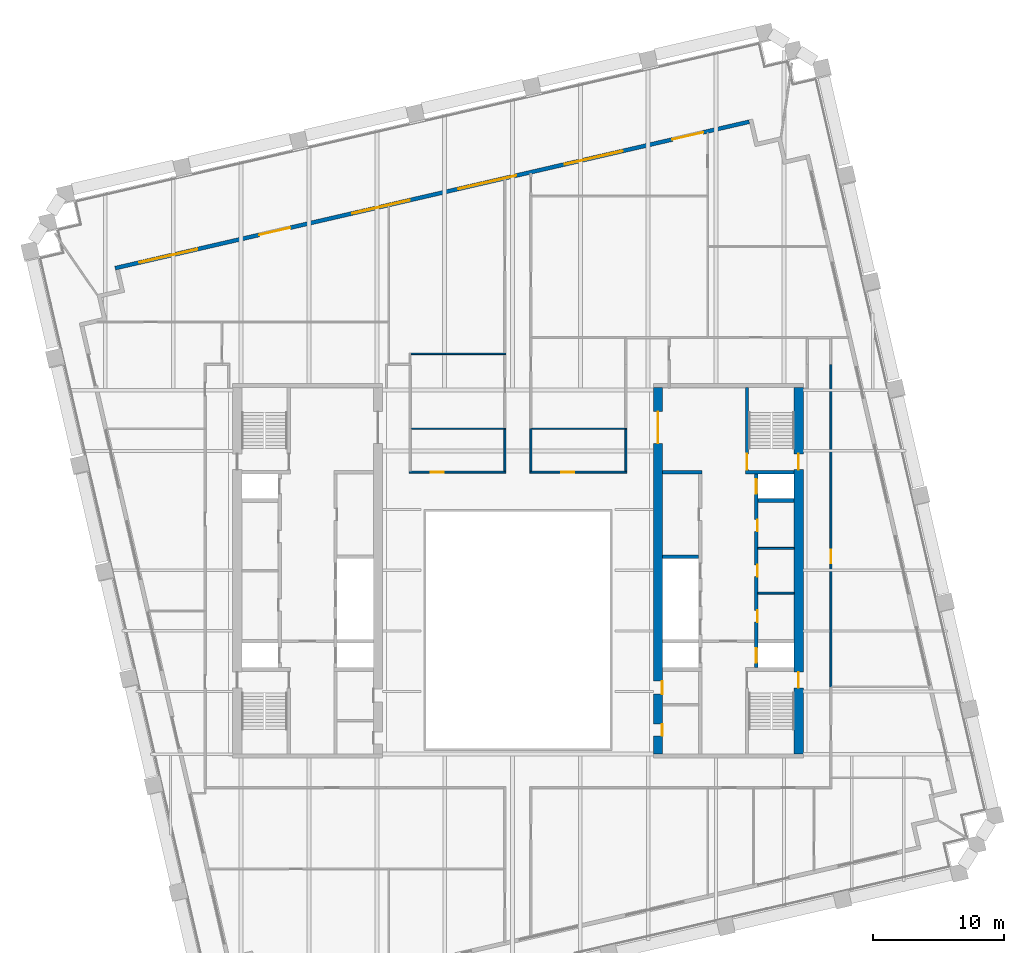
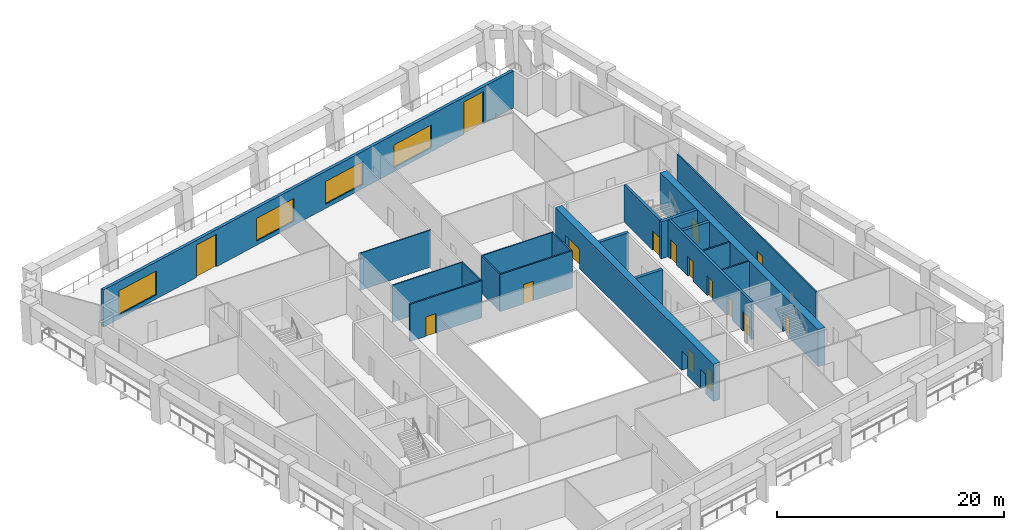
# One storey, part 7 of 11: 20 walls, 16 doors, 4 windows, 20 openings.
"""IFC4 building model written with IfcOpenShell, lengths in metres."""

import ifcopenshell
import ifcopenshell.guid

model = None  # the IFC model being written
_history = None  # IfcOwnerHistory: only IFC2X3 demands one
_inside = {}  # id of a spatial element -> (the spatial element, [elements in it])
_under = {}  # id of a project, library or spatial element -> (it, [spatial elements below it])
_declared = {}  # id of a project -> (the project, [libraries it declares])
_typed = {}  # id of a type object -> (the type object, [elements of that type])
_made_of = {}  # id of a material, layer set ... -> (it, [elements and type objects made of it])


def new_model(schema):
    """Start an empty IFC model of exactly this schema.

    Asked for "IFC4X3", IfcOpenShell would pick the latest addendum, in which some entities
    have other attributes; the version numbers below select the first issue.
    IFC2X3 requires an IfcOwnerHistory on every rooted entity: one is made here for all.
    """
    global model, _history
    if schema == "IFC4X3":
        model = ifcopenshell.file(schema_version=(4, 3, 0, 0))
    else:
        model = ifcopenshell.file(schema=schema)
    _inside.clear()
    _under.clear()
    _declared.clear()
    _typed.clear()
    _made_of.clear()
    _history = None
    if model.schema == "IFC2X3":
        org = make("IfcOrganization", Name="unknown")
        user = make(
            "IfcPersonAndOrganization",
            ThePerson=make("IfcPerson", FamilyName="unknown"),
            TheOrganization=org,
        )
        app = make(
            "IfcApplication",
            ApplicationDeveloper=org,
            Version="unknown",
            ApplicationFullName="unknown",
            ApplicationIdentifier="unknown",
        )
        _history = make(
            "IfcOwnerHistory",
            OwningUser=user,
            OwningApplication=app,
            ChangeAction="ADDED",
            CreationDate=0,
        )
    return model


def make(cls, **values):
    """One entity of the class cls with the attributes given. An attribute that is None is left unset."""
    return model.create_entity(
        cls, **{name: value for name, value in values.items() if value is not None}
    )


def rooted(cls, **values):
    """An entity with a GlobalId (a new one), such as an element, a storey or a relation."""
    return make(cls, GlobalId=ifcopenshell.guid.new(), OwnerHistory=_history, **values)


def si_unit(unit_type, name, prefix=None):
    """IfcSIUnit, for example si_unit("LENGTHUNIT", "METRE", prefix="MILLI")."""
    return make("IfcSIUnit", UnitType=unit_type, Prefix=prefix, Name=name)


def assignment(units):
    """IfcUnitAssignment: the units of a project."""
    return None if units is None else make("IfcUnitAssignment", Units=units)


def point(xyz):
    """IfcCartesianPoint."""
    return None if xyz is None else make("IfcCartesianPoint", Coordinates=xyz)


def direction(xyz):
    """IfcDirection."""
    return None if xyz is None else make("IfcDirection", DirectionRatios=xyz)


def frame(location, z_axis=None, x_axis=None):
    """IfcAxis2Placement3D, a coordinate frame: its origin and axes. An axis left out is left unset."""
    return make(
        "IfcAxis2Placement3D",
        Location=point(location),
        Axis=direction(z_axis),
        RefDirection=direction(x_axis),
    )


def frame_2d(location, x_axis=None):
    """IfcAxis2Placement2D, a coordinate frame in the plane: its origin and x axis."""
    return make(
        "IfcAxis2Placement2D", Location=point(location), RefDirection=direction(x_axis)
    )


def origin():
    """The frame at (0, 0, 0) with its axes left unset."""
    return frame((0.0, 0.0, 0.0))


def place(relative_to, where):
    """IfcLocalPlacement: puts the frame where relative to a parent placement (None: the world)."""
    return make(
        "IfcLocalPlacement", PlacementRelTo=relative_to, RelativePlacement=where
    )


def context(
    kind, dimensions, precision=None, world=None, true_north=None, identifier=None
):
    """IfcGeometricRepresentationContext, for example the 3D "Model" context."""
    return make(
        "IfcGeometricRepresentationContext",
        ContextIdentifier=identifier,
        ContextType=kind,
        CoordinateSpaceDimension=dimensions,
        Precision=precision,
        WorldCoordinateSystem=world,
        TrueNorth=true_north,
    )


def subcontext(parent, identifier, kind, view, scale=None):
    """IfcGeometricRepresentationSubContext, for example "Body" below "Model"."""
    return make(
        "IfcGeometricRepresentationSubContext",
        ContextIdentifier=identifier,
        ContextType=kind,
        ParentContext=parent,
        TargetScale=scale,
        TargetView=view,
    )


def project(units=None, contexts=None):
    """IfcProject with its units and contexts."""
    return rooted(
        "IfcProject",
        Name="project",
        RepresentationContexts=contexts,
        UnitsInContext=assignment(units),
    )


def spatial(cls, under=None, at=None, **own):
    """A site, building, storey or space (cls), placed at a placement, below another one or the project."""
    s = rooted(cls, ObjectPlacement=at, **own)
    if under is not None:
        _under.setdefault(under.id(), (under, []))[1].append(s)
    return s


def profile(cls, at=None, kind="AREA", **sizes):
    """A parametric profile (cls). Its sizes go by their IFC names, for example OverallWidth=200.0."""
    return make(cls, ProfileType=kind, Position=at, **sizes)


def rectangle(**sizes):
    """IfcRectangleProfileDef."""
    return profile("IfcRectangleProfileDef", **sizes)


def extrude(swept, where, along, depth):
    """IfcExtrudedAreaSolid: the profile swept, set in the frame where, extruded along a direction by depth."""
    return make(
        "IfcExtrudedAreaSolid",
        SweptArea=swept,
        Position=where,
        ExtrudedDirection=direction(along),
        Depth=depth,
    )


def shape(context_of_items, identifier, shape_type, items):
    """IfcShapeRepresentation: the items that make up one representation, for example the "Body"."""
    return make(
        "IfcShapeRepresentation",
        ContextOfItems=context_of_items,
        RepresentationIdentifier=identifier,
        RepresentationType=shape_type,
        Items=items,
    )


def material(Name=None, Category=None):
    """IfcMaterial."""
    return make("IfcMaterial", Name=Name, Category=Category)


def layer(
    of_material, thickness, ventilated=None, Name=None, Category=None, Priority=None
):
    """IfcMaterialLayer: one layer of a wall or slab, of a material (None: an air gap)."""
    return make(
        "IfcMaterialLayer",
        Material=of_material,
        LayerThickness=thickness,
        IsVentilated=ventilated,
        Name=Name,
        Category=Category,
        Priority=Priority,
    )


def layer_set(layers, Name=None):
    """IfcMaterialLayerSet."""
    return make("IfcMaterialLayerSet", MaterialLayers=layers, LayerSetName=Name)


def made_of(thing, what):
    """Note that an element or type object is made of a material, layer set ...; save() writes the relation."""
    if what is not None:
        _made_of.setdefault(what.id(), (what, []))[1].append(thing)
    return thing


def type_object(cls, material=None, **own):
    """A type object (cls), such as IfcWallType, which elements share."""
    return made_of(rooted(cls, **own), material)


def element(
    cls,
    number,
    at=None,
    inside=None,
    cuts=None,
    type_object=None,
    material=None,
    context=None,
    identifier="Body",
    shape_type=None,
    held_by="IfcProductDefinitionShape",
    body=None,
    shapes=None,
    **own,
):
    """One element of the class cls, such as IfcWall. Its Tag is "e" and its number.

    at: its placement. inside: the storey or other place that contains it. cuts: it is an
    opening in that element (IfcRelVoidsElement). A single representation is given by context,
    identifier, shape_type and body (its items); several are given by shapes. held_by: the class
    of the entity that holds the representations. save() writes the other relations.
    """
    e = rooted(cls, Tag="e%d" % number, ObjectPlacement=at, **own)
    if body is not None:
        shapes = [shape(context, identifier, shape_type, body)]
    if shapes is not None:
        e.Representation = make(held_by, Representations=shapes)
    if inside is not None:
        _inside.setdefault(inside.id(), (inside, []))[1].append(e)
    if cuts is not None:
        rooted(
            "IfcRelVoidsElement", RelatingBuildingElement=cuts, RelatedOpeningElement=e
        )
    if type_object is not None:
        _typed.setdefault(type_object.id(), (type_object, []))[1].append(e)
    return made_of(e, material)


def fill(opening, filler):
    """IfcRelFillsElement: the door or window that sits in an opening."""
    return rooted(
        "IfcRelFillsElement",
        RelatingOpeningElement=opening,
        RelatedBuildingElement=filler,
    )


def aggregate(whole, parts):
    """IfcRelAggregates: a whole, such as a stair, and the parts it consists of."""
    return rooted("IfcRelAggregates", RelatingObject=whole, RelatedObjects=parts)


def save(model, path):
    """Write the relations noted so far, then the file.

    IfcRelAggregates (storeys below a building ...), IfcRelContainedInSpatialStructure (elements
    in a storey), IfcRelDefinesByType, IfcRelAssociatesMaterial and IfcRelDeclares: one each for
    every whole, place, type object, material and project.
    """
    for whole, parts in _under.values():
        aggregate(whole, parts)
    for where, things in _inside.values():
        rooted(
            "IfcRelContainedInSpatialStructure",
            RelatedElements=things,
            RelatingStructure=where,
        )
    for kind, things in _typed.values():
        rooted("IfcRelDefinesByType", RelatedObjects=things, RelatingType=kind)
    for what, things in _made_of.values():
        rooted("IfcRelAssociatesMaterial", RelatedObjects=things, RelatingMaterial=what)
    for by, libraries in _declared.values():
        rooted("IfcRelDeclares", RelatingContext=by, RelatedDefinitions=libraries)
    model.write(path)


model = new_model("IFC4")

# Units and contexts
model_context = context("Model", 3, precision=1e-05, world=origin(), true_north=direction((0.0, 1.0)))
body_context = subcontext(model_context, "Body", "Model", "MODEL_VIEW")
ifc_project = project(units=[si_unit("LENGTHUNIT", "METRE"), si_unit("AREAUNIT", "SQUARE_METRE"), si_unit("VOLUMEUNIT", "CUBIC_METRE"), si_unit("PLANEANGLEUNIT", "RADIAN"), si_unit("MASSUNIT", "GRAM", prefix="KILO")], contexts=[model_context])

# Site, building, storey
site_placement = place(None, origin())
site = spatial("IfcSite", under=ifc_project, at=site_placement, CompositionType="ELEMENT")
building_placement = place(site_placement, origin())
building = spatial("IfcBuilding", under=site, at=building_placement, Name="Ogive Exchange Tower", CompositionType="ELEMENT")
storey_placement = place(building_placement, frame((0.0, 0.0, 209.39990234375)))
storey = spatial("IfcBuildingStorey", under=building, at=storey_placement, Name="L46", CompositionType="ELEMENT", Elevation=209.39990234375)

# Walls
ifc_material_1 = material(Name="Gypsum board partition")
ifc_layer_1 = layer(ifc_material_1, 0.14990234375)
ifc_layer_set_1 = layer_set([ifc_layer_1], Name="Core room partition 150 gypsum")
wall_type_1 = type_object("IfcWallType", Name="Core room partition 150 gypsum", PredefinedType="PARTITIONING", material=ifc_layer_set_1)
for number, where, z_axis, x_axis, name in (
    (1, (18.25, 9.800048828125, 0.0), (0.0, 0.0, 1.0), (1.0, 0.0, 0.0), "E row A bay partition 1-1"),
    (2, (18.25, 13.199951171875, 0.0), (0.0, 0.0, 1.0), (1.0, 0.0, 0.0), "E row A bay partition 1-2"),
):
    element("IfcWall", number, at=place(storey_placement, frame(where, z_axis=z_axis, x_axis=x_axis)), inside=storey, type_object=wall_type_1, Name=name, PredefinedType="PARTITIONING", context=body_context, shape_type="SweptSolid", body=[
        extrude(rectangle(XDim=2.75, YDim=0.14990234375, at=frame_2d((1.375, 0.0))), origin(), (0.0, 0.0, 1.0), 4.0),
    ])
ifc_layer_2 = layer(ifc_material_1, 0.300048828125)
ifc_layer_set_2 = layer_set([ifc_layer_2], Name="Core room partition 300 gypsum")
wall_type_2 = type_object("IfcWallType", Name="Core room partition 300 gypsum", PredefinedType="PARTITIONING", material=ifc_layer_set_2)
wall_1_placement = place(storey_placement, frame((11.0, 19.0, 0.0), z_axis=(0.0, 0.0, 1.0), x_axis=(1.0, 0.0, 0.0)))
element("IfcWall", 3, at=wall_1_placement, inside=storey, type_object=wall_type_2, Name="E row B room end wall 7", PredefinedType="PARTITIONING", context=body_context, shape_type="SweptSolid", body=[
    extrude(rectangle(XDim=3.0, YDim=0.300048828125, at=frame_2d((1.5, 0.0))), origin(), (0.0, 0.0, 1.0), 4.0),
])

# Wall, opening, door
ifc_material_2 = material(Name="Fire partition EI 60 150")
ifc_layer_3 = layer(ifc_material_2, 0.14990234375)
ifc_layer_set_3 = layer_set([ifc_layer_3], Name="Fire partition EI 60 150")
wall_type_3 = type_object("IfcWallType", Name="Fire partition EI 60 150", PredefinedType="PARTITIONING", material=ifc_layer_set_3)
wall_2_placement = place(storey_placement, frame((-8.27490234375, 19.0, 0.0), z_axis=(0.0, 0.0, 1.0), x_axis=(1.0, 0.0, 0.0)))
wall_2 = element("IfcWall", 4, at=wall_2_placement, inside=storey, type_object=wall_type_3, Name="L46-PWL-023", PredefinedType="PARTITIONING", context=body_context, shape_type="SweptSolid", body=[
    extrude(rectangle(XDim=7.35986328125, YDim=0.14990234375, at=frame_2d((3.679931640625, 0.0))), origin(), (0.0, 0.0, 1.0), 4.0),
])
opening_1_placement = place(wall_2_placement, frame((1.635009765625, 0.0, 0.0)))
opening_1 = element("IfcOpeningElement", 5, at=opening_1_placement, cuts=wall_2, Name="Opening L46-I02", PredefinedType="OPENING", context=body_context, shape_type="SweptSolid", body=[
    extrude(rectangle(XDim=1.0, YDim=2.10009765625, at=frame_2d((0.5, 1.050048828125))), frame((0.0, 0.0849609375, 0.0), z_axis=(0.0, -1.0, 0.0), x_axis=(1.0, 0.0, 0.0)), (0.0, 0.0, 1.0), 0.169921875),
])
ifc_material_3 = material(Name="Fire door FD 30S 1000 x 2100")
door_type_1 = type_object("IfcDoorType", Name="Fire door FD 30S 1000 x 2100", OperationType="NOTDEFINED", PredefinedType="DOOR", material=ifc_material_3)
door_1_placement = place(opening_1_placement, origin())
door_1 = element("IfcDoor", 6, at=door_1_placement, inside=storey, type_object=door_type_1, Name="L46-IDR-002", ObjectType="DT3", OperationType="SINGLE_SWING_RIGHT", OverallHeight=2.10009765625, OverallWidth=1.0, PredefinedType="DOOR", context=body_context, shape_type="SweptSolid", body=[
    extrude(rectangle(XDim=1.0, YDim=2.10009765625, at=frame_2d((0.5, 1.050048828125))), frame((0.0, 0.02490234375, 0.0), z_axis=(0.0, -1.0, 0.0), x_axis=(1.0, 0.0, 0.0)), (0.0, 0.0, 1.0), 0.050048828125),
])
fill(opening_1, door_1)

# Wall
wall_3_placement = place(storey_placement, frame((-0.989990234375, 19.074951171875, 0.0), z_axis=(0.0, 0.0, 1.0), x_axis=(0.0, 1.0, 0.0)))
element("IfcWall", 7, at=wall_3_placement, inside=storey, type_object=wall_type_3, Name="L46-PWL-031", PredefinedType="PARTITIONING", context=body_context, shape_type="SweptSolid", body=[
    extrude(rectangle(XDim=3.18505859375, YDim=0.14990234375, at=frame_2d((1.592529296875, 0.0))), origin(), (0.0, 0.0, 1.0), 4.0),
])

# Wall, opening, door
wall_4_placement = place(storey_placement, frame((0.9150390625, 19.0, 0.0), z_axis=(0.0, 0.0, 1.0), x_axis=(1.0, 0.0, 0.0)))
wall_4 = element("IfcWall", 8, at=wall_4_placement, inside=storey, type_object=wall_type_3, Name="L46-PWL-035", PredefinedType="PARTITIONING", context=body_context, shape_type="SweptSolid", body=[
    extrude(rectangle(XDim=7.35986328125, YDim=0.14990234375, at=frame_2d((3.679931640625, 0.0))), origin(), (0.0, 0.0, 1.0), 4.0),
])
opening_2_placement = place(wall_4_placement, frame((2.385009765625, 0.0, 0.0)))
opening_2 = element("IfcOpeningElement", 9, at=opening_2_placement, cuts=wall_4, Name="Opening L46-I12", PredefinedType="OPENING", context=body_context, shape_type="SweptSolid", body=[
    extrude(rectangle(XDim=1.0, YDim=2.10009765625, at=frame_2d((0.5, 1.050048828125))), frame((0.0, 0.0849609375, 0.0), z_axis=(0.0, -1.0, 0.0), x_axis=(1.0, 0.0, 0.0)), (0.0, 0.0, 1.0), 0.169921875),
])
door_2_placement = place(opening_2_placement, origin())
door_2 = element("IfcDoor", 10, at=door_2_placement, inside=storey, type_object=door_type_1, Name="L46-IDR-012", ObjectType="DT3", OperationType="SINGLE_SWING_RIGHT", OverallHeight=2.10009765625, OverallWidth=1.0, PredefinedType="DOOR", context=body_context, shape_type="SweptSolid", body=[
    extrude(rectangle(XDim=1.0, YDim=2.10009765625, at=frame_2d((0.5, 1.050048828125))), frame((0.0, 0.02490234375, 0.0), z_axis=(0.0, -1.0, 0.0), x_axis=(1.0, 0.0, 0.0)), (0.0, 0.0, 1.0), 0.050048828125),
])
fill(opening_2, door_2)

# Walls
wall_5_placement = place(storey_placement, frame((0.989990234375, 22.31005859375, 0.0), z_axis=(0.0, 0.0, 1.0), x_axis=(0.0, -1.0, 0.0)))
element("IfcWall", 11, at=wall_5_placement, inside=storey, type_object=wall_type_3, Name="L46-PWL-036", PredefinedType="PARTITIONING", context=body_context, shape_type="SweptSolid", body=[
    extrude(rectangle(XDim=3.235107421875, YDim=0.14990234375, at=frame_2d((1.61767578125, 0.0))), origin(), (0.0, 0.0, 1.0), 4.0),
])
wall_6_placement = place(storey_placement, frame((8.199951171875, 19.074951171875, 0.0), z_axis=(0.0, 0.0, 1.0), x_axis=(0.0, 1.0, 0.0)))
element("IfcWall", 12, at=wall_6_placement, inside=storey, type_object=wall_type_3, Name="L46-PWL-042", PredefinedType="PARTITIONING", context=body_context, shape_type="SweptSolid", body=[
    extrude(rectangle(XDim=3.18505859375, YDim=0.14990234375, at=frame_2d((1.592529296875, 0.0))), origin(), (0.0, 0.0, 1.0), 4.0),
])

# Wall, opening, door
wall_7_placement = place(storey_placement, frame((23.800048828125, 27.199951171875, 0.0), z_axis=(0.0, 0.0, 1.0), x_axis=(0.0, -1.0, 0.0)))
wall_7 = element("IfcWall", 13, at=wall_7_placement, inside=storey, type_object=wall_type_3, Name="L46-PWL-069", PredefinedType="PARTITIONING", context=body_context, shape_type="SweptSolid", body=[
    extrude(rectangle(XDim=24.56005859375, YDim=0.14990234375, at=frame_2d((12.280029296875, 0.0))), origin(), (0.0, 0.0, 1.0), 4.0),
])
opening_3_placement = place(wall_7_placement, frame((14.110107421875, 0.0, 0.0)))
opening_3 = element("IfcOpeningElement", 14, at=opening_3_placement, cuts=wall_7, Name="Opening L46-I16", PredefinedType="OPENING", context=body_context, shape_type="SweptSolid", body=[
    extrude(rectangle(XDim=1.0, YDim=2.10009765625, at=frame_2d((0.5, 1.050048828125))), frame((0.0, 0.0849609375, 0.0), z_axis=(0.0, -1.0, 0.0), x_axis=(1.0, 0.0, 0.0)), (0.0, 0.0, 1.0), 0.169921875),
])
door_3_placement = place(opening_3_placement, origin())
door_3 = element("IfcDoor", 15, at=door_3_placement, inside=storey, type_object=door_type_1, Name="L46-IDR-016", ObjectType="DT3", OperationType="SINGLE_SWING_LEFT", OverallHeight=2.10009765625, OverallWidth=1.0, PredefinedType="DOOR", context=body_context, shape_type="SweptSolid", body=[
    extrude(rectangle(XDim=1.0, YDim=2.10009765625, at=frame_2d((0.5, 1.050048828125))), frame((0.0, 0.02490234375, 0.0), z_axis=(0.0, -1.0, 0.0), x_axis=(1.0, 0.0, 0.0)), (0.0, 0.0, 1.0), 0.050048828125),
])
fill(opening_3, door_3)

# Wall, openings, doors, windows
ifc_material_4 = material(Name="Precast concrete C40/50", Category="concrete")
ifc_layer_4 = layer(ifc_material_4, 0.300048828125)
ifc_layer_set_4 = layer_set([ifc_layer_4], Name="Limestone-faced wall 300")
wall_type_4 = type_object("IfcWallType", Name="Limestone-faced wall 300", PredefinedType="STANDARD", material=ifc_layer_set_4)
wall_8_placement = place(storey_placement, frame((17.592041015625, 45.6572265625, 0.0), z_axis=(0.0, 0.0, 1.0), x_axis=(-0.974370243697, -0.224950279389, 0.0)))
wall_8 = element("IfcWall", 16, at=wall_8_placement, inside=storey, type_object=wall_type_4, Name="External wall N3", PredefinedType="STANDARD", context=body_context, shape_type="SweptSolid", body=[
    extrude(rectangle(XDim=49.499755859375, YDim=0.300048828125, at=frame_2d((24.75, 0.0))), origin(), (0.0, 0.0, 1.0), 4.0),
])
opening_4_placement = place(wall_8_placement, frame((3.60009765625, 0.0, 0.0)))
opening_4 = element("IfcOpeningElement", 17, at=opening_4_placement, cuts=wall_8, Name="Opening D1", PredefinedType="OPENING", context=body_context, shape_type="SweptSolid", body=[
    extrude(rectangle(XDim=2.39990234375, YDim=3.5, at=frame_2d((1.199951171875, 1.75))), frame((0.0, 0.159912109375, 0.0), z_axis=(0.0, -1.0, 0.0), x_axis=(1.0, 0.0, 0.0)), (0.0, 0.0, 1.0), 0.320068359375),
])
opening_5_placement = place(wall_8_placement, frame((9.89990234375, 0.0, 0.449951171875)))
opening_5 = element("IfcOpeningElement", 18, at=opening_5_placement, cuts=wall_8, Name="Opening W1Q", PredefinedType="OPENING", context=body_context, shape_type="SweptSolid", body=[
    extrude(rectangle(XDim=4.5, YDim=2.449951171875, at=frame_2d((2.25, 1.22509765625))), frame((0.0, 0.159912109375, 0.0), z_axis=(0.0, -1.0, 0.0), x_axis=(1.0, 0.0, 0.0)), (0.0, 0.0, 1.0), 0.320068359375),
])
opening_6_placement = place(wall_8_placement, frame((18.199951171875, 0.0, 0.449951171875)))
opening_6 = element("IfcOpeningElement", 19, at=opening_6_placement, cuts=wall_8, Name="Opening W1Q", PredefinedType="OPENING", context=body_context, shape_type="SweptSolid", body=[
    extrude(rectangle(XDim=4.5, YDim=2.449951171875, at=frame_2d((2.25, 1.22509765625))), frame((0.0, 0.159912109375, 0.0), z_axis=(0.0, -1.0, 0.0), x_axis=(1.0, 0.0, 0.0)), (0.0, 0.0, 1.0), 0.320068359375),
])
opening_7_placement = place(wall_8_placement, frame((26.5, 0.0, 0.449951171875)))
opening_7 = element("IfcOpeningElement", 20, at=opening_7_placement, cuts=wall_8, Name="Opening W1Q", PredefinedType="OPENING", context=body_context, shape_type="SweptSolid", body=[
    extrude(rectangle(XDim=4.5, YDim=2.449951171875, at=frame_2d((2.25, 1.22509765625))), frame((0.0, 0.159912109375, 0.0), z_axis=(0.0, -1.0, 0.0), x_axis=(1.0, 0.0, 0.0)), (0.0, 0.0, 1.0), 0.320068359375),
])
opening_8_placement = place(wall_8_placement, frame((35.85009765625, 0.0, 0.0)))
opening_8 = element("IfcOpeningElement", 21, at=opening_8_placement, cuts=wall_8, Name="Opening D1", PredefinedType="OPENING", context=body_context, shape_type="SweptSolid", body=[
    extrude(rectangle(XDim=2.39990234375, YDim=3.5, at=frame_2d((1.199951171875, 1.75))), frame((0.0, 0.159912109375, 0.0), z_axis=(0.0, -1.0, 0.0), x_axis=(1.0, 0.0, 0.0)), (0.0, 0.0, 1.0), 0.320068359375),
])
opening_9_placement = place(wall_8_placement, frame((43.10009765625, 0.0, 0.449951171875)))
opening_9 = element("IfcOpeningElement", 22, at=opening_9_placement, cuts=wall_8, Name="Opening W1M", PredefinedType="OPENING", context=body_context, shape_type="SweptSolid", body=[
    extrude(rectangle(XDim=4.5, YDim=2.574951171875, at=frame_2d((2.25, 1.28759765625))), frame((0.0, 0.159912109375, 0.0), z_axis=(0.0, -1.0, 0.0), x_axis=(1.0, 0.0, 0.0)), (0.0, 0.0, 1.0), 0.320068359375),
])
ifc_material_5 = material(Name="Clear glass in bronze frame", Category="glass")
door_type_2 = type_object("IfcDoorType", Name="Sliding loggia door 2400 x 3500", OperationType="DOUBLE_DOOR_SLIDING", PredefinedType="DOOR", material=ifc_material_5)
door_4_placement = place(opening_4_placement, origin())
door_4 = element("IfcDoor", 23, at=door_4_placement, inside=storey, type_object=door_type_2, Name="Loggia door N00", OperationType="DOUBLE_DOOR_SLIDING", OverallHeight=3.5, OverallWidth=2.39990234375, PredefinedType="DOOR", context=body_context, shape_type="SweptSolid", body=[
    extrude(rectangle(XDim=2.39990234375, YDim=3.5, at=frame_2d((1.199951171875, 1.75))), frame((0.0, 0.02490234375, 0.0), z_axis=(0.0, -1.0, 0.0), x_axis=(1.0, 0.0, 0.0)), (0.0, 0.0, 1.0), 0.050048828125),
])
fill(opening_4, door_4)
door_5_placement = place(opening_8_placement, origin())
door_5 = element("IfcDoor", 24, at=door_5_placement, inside=storey, type_object=door_type_2, Name="Loggia door N04", OperationType="DOUBLE_DOOR_SLIDING", OverallHeight=3.5, OverallWidth=2.39990234375, PredefinedType="DOOR", context=body_context, shape_type="SweptSolid", body=[
    extrude(rectangle(XDim=2.39990234375, YDim=3.5, at=frame_2d((1.199951171875, 1.75))), frame((0.0, 0.02490234375, 0.0), z_axis=(0.0, -1.0, 0.0), x_axis=(1.0, 0.0, 0.0)), (0.0, 0.0, 1.0), 0.050048828125),
])
fill(opening_8, door_5)
window_type_1 = type_object("IfcWindowType", Name="Twin lancet window 4500 x 2450", PartitioningType="DOUBLE_PANEL_VERTICAL", PredefinedType="WINDOW", material=ifc_material_5)
window_1_placement = place(opening_5_placement, origin())
window_1 = element("IfcWindow", 25, at=window_1_placement, inside=storey, type_object=window_type_1, Name="Window N01", OverallHeight=2.449951171875, OverallWidth=4.5, PartitioningType="DOUBLE_PANEL_VERTICAL", PredefinedType="WINDOW", context=body_context, shape_type="SweptSolid", body=[
    extrude(rectangle(XDim=4.5, YDim=2.449951171875, at=frame_2d((2.25, 1.22509765625))), frame((0.0, 0.030029296875, 0.0), z_axis=(0.0, -1.0, 0.0), x_axis=(1.0, 0.0, 0.0)), (0.0, 0.0, 1.0), 0.06005859375),
])
fill(opening_5, window_1)
window_2_placement = place(opening_6_placement, origin())
window_2 = element("IfcWindow", 26, at=window_2_placement, inside=storey, type_object=window_type_1, Name="Window N02", OverallHeight=2.449951171875, OverallWidth=4.5, PartitioningType="DOUBLE_PANEL_VERTICAL", PredefinedType="WINDOW", context=body_context, shape_type="SweptSolid", body=[
    extrude(rectangle(XDim=4.5, YDim=2.449951171875, at=frame_2d((2.25, 1.22509765625))), frame((0.0, 0.030029296875, 0.0), z_axis=(0.0, -1.0, 0.0), x_axis=(1.0, 0.0, 0.0)), (0.0, 0.0, 1.0), 0.06005859375),
])
fill(opening_6, window_2)
window_3_placement = place(opening_7_placement, origin())
window_3 = element("IfcWindow", 27, at=window_3_placement, inside=storey, type_object=window_type_1, Name="Window N03", OverallHeight=2.449951171875, OverallWidth=4.5, PartitioningType="DOUBLE_PANEL_VERTICAL", PredefinedType="WINDOW", context=body_context, shape_type="SweptSolid", body=[
    extrude(rectangle(XDim=4.5, YDim=2.449951171875, at=frame_2d((2.25, 1.22509765625))), frame((0.0, 0.030029296875, 0.0), z_axis=(0.0, -1.0, 0.0), x_axis=(1.0, 0.0, 0.0)), (0.0, 0.0, 1.0), 0.06005859375),
])
fill(opening_7, window_3)
window_type_2 = type_object("IfcWindowType", Name="Twin lancet window 4500 x 2575", PartitioningType="DOUBLE_PANEL_VERTICAL", PredefinedType="WINDOW", material=ifc_material_5)
window_4_placement = place(opening_9_placement, origin())
window_4 = element("IfcWindow", 28, at=window_4_placement, inside=storey, type_object=window_type_2, Name="Window N05", OverallHeight=2.574951171875, OverallWidth=4.5, PartitioningType="DOUBLE_PANEL_VERTICAL", PredefinedType="WINDOW", context=body_context, shape_type="SweptSolid", body=[
    extrude(rectangle(XDim=4.5, YDim=2.574951171875, at=frame_2d((2.25, 1.28759765625))), frame((0.0, 0.030029296875, 0.0), z_axis=(0.0, -1.0, 0.0), x_axis=(1.0, 0.0, 0.0)), (0.0, 0.0, 1.0), 0.06005859375),
])
fill(opening_9, window_4)

# Walls
ifc_material_6 = material(Name="Partition 100 gypsum")
ifc_layer_5 = layer(ifc_material_6, 0.10009765625)
ifc_layer_set_5 = layer_set([ifc_layer_5], Name="Partition 100 gypsum")
wall_type_5 = type_object("IfcWallType", Name="Partition 100 gypsum", PredefinedType="PARTITIONING", material=ifc_layer_set_5)
wall_9_placement = place(storey_placement, frame((-8.159912109375, 28.0, 0.0), z_axis=(0.0, 0.0, 1.0), x_axis=(1.0, 0.0, 0.0)))
element("IfcWall", 29, at=wall_9_placement, inside=storey, type_object=wall_type_5, Name="L46-PWL-022", PredefinedType="PARTITIONING", context=body_context, shape_type="SweptSolid", body=[
    extrude(rectangle(XDim=7.244873046875, YDim=0.10009765625, at=frame_2d((3.62255859375, 0.0))), origin(), (0.0, 0.0, 1.0), 4.0),
])
for number, where, z_axis, x_axis, name in (
    (30, (-8.125, 22.31005859375, 0.0), (0.0, 0.0, 1.0), (1.0, 0.0, 0.0), "L46-PWL-025"),
    (31, (1.06494140625, 22.31005859375, 0.0), (0.0, 0.0, 1.0), (1.0, 0.0, 0.0), "L46-PWL-037"),
):
    element("IfcWall", number, at=place(storey_placement, frame(where, z_axis=z_axis, x_axis=x_axis)), inside=storey, type_object=wall_type_5, Name=name, PredefinedType="PARTITIONING", context=body_context, shape_type="SweptSolid", body=[
        extrude(rectangle(XDim=7.2099609375, YDim=0.10009765625, at=frame_2d((3.60498046875, 0.0))), origin(), (0.0, 0.0, 1.0), 4.0),
    ])

# Wall, opening, door
ifc_material_7 = material(Name="Concrete C70/85", Category="concrete")
ifc_layer_6 = layer(ifc_material_7, 0.25)
ifc_layer_set_6 = layer_set([ifc_layer_6], Name="RC core wall 250 C70/85")
wall_type_6 = type_object("IfcWallType", Name="RC core wall 250 C70/85", PredefinedType="SHEAR", material=ifc_layer_set_6)
wall_10_placement = place(storey_placement, frame((17.425048828125, 19.14990234375, 0.0), z_axis=(0.0, 0.0, 1.0), x_axis=(0.0, 1.0, 0.0)))
wall_10 = element("IfcWall", 32, at=wall_10_placement, inside=storey, type_object=wall_type_6, Name="E stair N front wall", PredefinedType="SHEAR", context=body_context, shape_type="SweptSolid", body=[
    extrude(rectangle(XDim=6.300048828125, YDim=0.25, at=frame_2d((3.14990234375, 0.0))), origin(), (0.0, 0.0, 1.0), 4.0),
])
opening_10_placement = place(wall_10_placement, frame((0.050048828125, 0.0, 0.0)))
opening_10 = element("IfcOpeningElement", 33, at=opening_10_placement, cuts=wall_10, Name="Opening L46-C32", PredefinedType="OPENING", context=body_context, shape_type="SweptSolid", body=[
    extrude(rectangle(XDim=1.199951171875, YDim=2.10009765625, at=frame_2d((0.60009765625, 1.050048828125))), frame((0.0, 0.135009765625, 0.0), z_axis=(0.0, -1.0, 0.0), x_axis=(1.0, 0.0, 0.0)), (0.0, 0.0, 1.0), 0.27001953125),
])
ifc_material_8 = material(Name="Steel fire door", Category="steel")
door_type_3 = type_object("IfcDoorType", Name="Stair door FD90 1200 x 2100", OperationType="NOTDEFINED", PredefinedType="DOOR", material=ifc_material_8)
door_6_placement = place(opening_10_placement, frame((1.199951171875, 0.0, 0.0), z_axis=(0.0, 0.0, 1.0), x_axis=(-1.0, 0.0, 0.0)))
door_6 = element("IfcDoor", 34, at=door_6_placement, inside=storey, type_object=door_type_3, Name="Stair door", ObjectType="CD5", OperationType="SINGLE_SWING_LEFT", OverallHeight=2.10009765625, OverallWidth=1.199951171875, PredefinedType="DOOR", context=body_context, shape_type="SweptSolid", body=[
    extrude(rectangle(XDim=1.199951171875, YDim=2.10009765625, at=frame_2d((0.60009765625, 1.050048828125))), frame((0.0, 0.02490234375, 0.0), z_axis=(0.0, -1.0, 0.0), x_axis=(1.0, 0.0, 0.0)), (0.0, 0.0, 1.0), 0.050048828125),
])
fill(opening_10, door_6)

# Wall, openings, doors
wall_11_placement = place(storey_placement, frame((18.125, 4.14990234375, 0.0), z_axis=(0.0, 0.0, 1.0), x_axis=(0.0, 1.0, 0.0)))
wall_11 = element("IfcWall", 35, at=wall_11_placement, inside=storey, type_object=wall_type_6, Name="E row A front wall", PredefinedType="SHEAR", context=body_context, shape_type="SweptSolid", body=[
    extrude(rectangle(XDim=14.7001953125, YDim=0.25, at=frame_2d((7.35009765625, 0.0))), origin(), (0.0, 0.0, 1.0), 4.0),
])
opening_11_placement = place(wall_11_placement, frame((3.4462890625, 0.0, 0.0)))
opening_11 = element("IfcOpeningElement", 36, at=opening_11_placement, cuts=wall_11, Name="Opening L46-C18", PredefinedType="OPENING", context=body_context, shape_type="SweptSolid", body=[
    extrude(rectangle(XDim=0.89990234375, YDim=2.10009765625, at=frame_2d((0.449951171875, 1.050048828125))), frame((0.0, 0.135009765625, 0.0), z_axis=(0.0, -1.0, 0.0), x_axis=(1.0, 0.0, 0.0)), (0.0, 0.0, 1.0), 0.27001953125),
])
opening_12_placement = place(wall_11_placement, frame((6.89990234375, 0.0, 0.0)))
opening_12 = element("IfcOpeningElement", 37, at=opening_12_placement, cuts=wall_11, Name="Opening L46-C19", PredefinedType="OPENING", context=body_context, shape_type="SweptSolid", body=[
    extrude(rectangle(XDim=0.89990234375, YDim=2.10009765625, at=frame_2d((0.449951171875, 1.050048828125))), frame((0.0, 0.135009765625, 0.0), z_axis=(0.0, -1.0, 0.0), x_axis=(1.0, 0.0, 0.0)), (0.0, 0.0, 1.0), 0.27001953125),
])
opening_13_placement = place(wall_11_placement, frame((10.353515625, 0.0, 0.0)))
opening_13 = element("IfcOpeningElement", 38, at=opening_13_placement, cuts=wall_11, Name="Opening L46-C20", PredefinedType="OPENING", context=body_context, shape_type="SweptSolid", body=[
    extrude(rectangle(XDim=0.89990234375, YDim=2.10009765625, at=frame_2d((0.449951171875, 1.050048828125))), frame((0.0, 0.135009765625, 0.0), z_axis=(0.0, -1.0, 0.0), x_axis=(1.0, 0.0, 0.0)), (0.0, 0.0, 1.0), 0.27001953125),
])
opening_14_placement = place(wall_11_placement, frame((0.371337890625, 0.0, 0.0)))
opening_14 = element("IfcOpeningElement", 39, at=opening_14_placement, cuts=wall_11, Name="Opening L46-C21", PredefinedType="OPENING", context=body_context, shape_type="SweptSolid", body=[
    extrude(rectangle(XDim=1.10009765625, YDim=2.10009765625, at=frame_2d((0.550048828125, 1.050048828125))), frame((0.0, 0.135009765625, 0.0), z_axis=(0.0, -1.0, 0.0), x_axis=(1.0, 0.0, 0.0)), (0.0, 0.0, 1.0), 0.27001953125),
])
opening_15_placement = place(wall_11_placement, frame((13.228515625, 0.0, 0.0)))
opening_15 = element("IfcOpeningElement", 40, at=opening_15_placement, cuts=wall_11, Name="Opening L46-C22", PredefinedType="OPENING", context=body_context, shape_type="SweptSolid", body=[
    extrude(rectangle(XDim=1.10009765625, YDim=2.10009765625, at=frame_2d((0.550048828125, 1.050048828125))), frame((0.0, 0.135009765625, 0.0), z_axis=(0.0, -1.0, 0.0), x_axis=(1.0, 0.0, 0.0)), (0.0, 0.0, 1.0), 0.27001953125),
])
ifc_material_9 = material(Name="Stainless steel", Category="steel")
door_type_4 = type_object("IfcDoorType", Name="Lift landing door FD90 1100 x 2100", OperationType="SLIDING_TO_LEFT", PredefinedType="DOOR", material=ifc_material_9)
door_7_placement = place(opening_14_placement, origin())
door_7 = element("IfcDoor", 41, at=door_7_placement, inside=storey, type_object=door_type_4, Name="Lift landing door FF2", ObjectType="LD", OperationType="SLIDING_TO_LEFT", OverallHeight=2.10009765625, OverallWidth=1.10009765625, PredefinedType="DOOR", context=body_context, shape_type="SweptSolid", body=[
    extrude(rectangle(XDim=1.10009765625, YDim=2.10009765625, at=frame_2d((0.550048828125, 1.050048828125))), frame((0.0, 0.02490234375, 0.0), z_axis=(0.0, -1.0, 0.0), x_axis=(1.0, 0.0, 0.0)), (0.0, 0.0, 1.0), 0.050048828125),
])
fill(opening_14, door_7)
door_8_placement = place(opening_15_placement, origin())
door_8 = element("IfcDoor", 42, at=door_8_placement, inside=storey, type_object=door_type_4, Name="Lift landing door E-SH2", ObjectType="LD", OperationType="SLIDING_TO_LEFT", OverallHeight=2.10009765625, OverallWidth=1.10009765625, PredefinedType="DOOR", context=body_context, shape_type="SweptSolid", body=[
    extrude(rectangle(XDim=1.10009765625, YDim=2.10009765625, at=frame_2d((0.550048828125, 1.050048828125))), frame((0.0, 0.02490234375, 0.0), z_axis=(0.0, -1.0, 0.0), x_axis=(1.0, 0.0, 0.0)), (0.0, 0.0, 1.0), 0.050048828125),
])
fill(opening_15, door_8)
door_type_5 = type_object("IfcDoorType", Name="Riser door FD60 900 x 2100", OperationType="NOTDEFINED", PredefinedType="DOOR", material=ifc_material_8)
door_9_placement = place(opening_11_placement, frame((0.89990234375, -0.2001953125, 0.0), z_axis=(0.0, 0.0, 1.0), x_axis=(-1.0, 0.0, 0.0)))
door_9 = element("IfcDoor", 43, at=door_9_placement, inside=storey, type_object=door_type_5, Name="Riser door", ObjectType="CD2", OperationType="SINGLE_SWING_LEFT", OverallHeight=2.10009765625, OverallWidth=0.89990234375, PredefinedType="DOOR", context=body_context, shape_type="SweptSolid", body=[
    extrude(rectangle(XDim=0.89990234375, YDim=2.10009765625, at=frame_2d((0.449951171875, 1.050048828125))), frame((0.0, -0.0751953125, 0.0), z_axis=(0.0, -1.0, 0.0), x_axis=(1.0, 0.0, 0.0)), (0.0, 0.0, 1.0), 0.050048828125),
])
fill(opening_11, door_9)
door_10_placement = place(opening_12_placement, frame((0.89990234375, -0.2001953125, 0.0), z_axis=(0.0, 0.0, 1.0), x_axis=(-1.0, 0.0, 0.0)))
door_10 = element("IfcDoor", 44, at=door_10_placement, inside=storey, type_object=door_type_5, Name="Riser door", ObjectType="CD2", OperationType="SINGLE_SWING_LEFT", OverallHeight=2.10009765625, OverallWidth=0.89990234375, PredefinedType="DOOR", context=body_context, shape_type="SweptSolid", body=[
    extrude(rectangle(XDim=0.89990234375, YDim=2.10009765625, at=frame_2d((0.449951171875, 1.050048828125))), frame((0.0, -0.0751953125, 0.0), z_axis=(0.0, -1.0, 0.0), x_axis=(1.0, 0.0, 0.0)), (0.0, 0.0, 1.0), 0.050048828125),
])
fill(opening_12, door_10)
door_11_placement = place(opening_13_placement, frame((0.89990234375, -0.2001953125, 0.0), z_axis=(0.0, 0.0, 1.0), x_axis=(-1.0, 0.0, 0.0)))
door_11 = element("IfcDoor", 45, at=door_11_placement, inside=storey, type_object=door_type_5, Name="Riser door", ObjectType="CD2", OperationType="SINGLE_SWING_RIGHT", OverallHeight=2.10009765625, OverallWidth=0.89990234375, PredefinedType="DOOR", context=body_context, shape_type="SweptSolid", body=[
    extrude(rectangle(XDim=0.89990234375, YDim=2.10009765625, at=frame_2d((0.449951171875, 1.050048828125))), frame((0.0, -0.0751953125, 0.0), z_axis=(0.0, -1.0, 0.0), x_axis=(1.0, 0.0, 0.0)), (0.0, 0.0, 1.0), 0.050048828125),
])
fill(opening_13, door_11)

# Walls
ifc_layer_7 = layer(ifc_material_7, 0.300048828125)
ifc_layer_set_7 = layer_set([ifc_layer_7], Name="RC core wall 300 C70/85")
wall_type_7 = type_object("IfcWallType", Name="RC core wall 300 C70/85", PredefinedType="SHEAR", material=ifc_layer_set_7)
wall_12_placement = place(storey_placement, frame((17.300048828125, 19.0, 0.0), z_axis=(0.0, 0.0, 1.0), x_axis=(1.0, 0.0, 0.0)))
element("IfcWall", 46, at=wall_12_placement, inside=storey, type_object=wall_type_7, Name="E stair N south wall", PredefinedType="SHEAR", context=body_context, shape_type="SweptSolid", body=[
    extrude(rectangle(XDim=3.699951171875, YDim=0.300048828125, at=frame_2d((1.85009765625, 0.0))), origin(), (0.0, 0.0, 1.0), 4.0),
])
for number, where, z_axis, x_axis, name in (
    (47, (18.25, 16.857177734375, 0.0), (0.0, 0.0, 1.0), (1.0, 0.0, 0.0), "E row A divider 6"),
    (48, (11.0, 12.5712890625, 0.0), (0.0, 0.0, 1.0), (1.0, 0.0, 0.0), "E row B divider 4"),
):
    element("IfcWall", number, at=place(storey_placement, frame(where, z_axis=z_axis, x_axis=x_axis)), inside=storey, type_object=wall_type_7, Name=name, PredefinedType="SHEAR", context=body_context, shape_type="SweptSolid", body=[
        extrude(rectangle(XDim=2.75, YDim=0.300048828125, at=frame_2d((1.375, 0.0))), origin(), (0.0, 0.0, 1.0), 4.0),
    ])

# Wall, openings, doors
ifc_layer_8 = layer(ifc_material_7, 0.699951171875)
ifc_layer_set_8 = layer_set([ifc_layer_8], Name="RC core wall 700 C70/85")
wall_type_8 = type_object("IfcWallType", Name="RC core wall 700 C70/85", PredefinedType="SHEAR", material=ifc_layer_set_8)
wall_13_placement = place(storey_placement, frame((21.35009765625, -2.449951171875, 0.0), z_axis=(0.0, 0.0, 1.0), x_axis=(0.0, 1.0, 0.0)))
wall_13 = element("IfcWall", 49, at=wall_13_placement, inside=storey, type_object=wall_type_8, Name="E outer wall", PredefinedType="SHEAR", context=body_context, shape_type="SweptSolid", body=[
    extrude(rectangle(XDim=27.89990234375, YDim=0.699951171875, at=frame_2d((13.949951171875, 0.0))), origin(), (0.0, 0.0, 1.0), 4.0),
])
opening_16_placement = place(wall_13_placement, frame((5.050048828125, 0.0, 0.0)))
opening_16 = element("IfcOpeningElement", 50, at=opening_16_placement, cuts=wall_13, Name="Opening L46-C31", PredefinedType="OPENING", context=body_context, shape_type="SweptSolid", body=[
    extrude(rectangle(XDim=1.199951171875, YDim=2.10009765625, at=frame_2d((0.60009765625, 1.050048828125))), frame((0.0, 0.35986328125, 0.0), z_axis=(0.0, -1.0, 0.0), x_axis=(1.0, 0.0, 0.0)), (0.0, 0.0, 1.0), 0.719970703125),
])
opening_17_placement = place(wall_13_placement, frame((21.64990234375, 0.0, 0.0)))
opening_17 = element("IfcOpeningElement", 51, at=opening_17_placement, cuts=wall_13, Name="Opening L46-C33", PredefinedType="OPENING", context=body_context, shape_type="SweptSolid", body=[
    extrude(rectangle(XDim=1.199951171875, YDim=2.10009765625, at=frame_2d((0.60009765625, 1.050048828125))), frame((0.0, 0.35986328125, 0.0), z_axis=(0.0, -1.0, 0.0), x_axis=(1.0, 0.0, 0.0)), (0.0, 0.0, 1.0), 0.719970703125),
])
door_12_placement = place(opening_16_placement, origin())
door_12 = element("IfcDoor", 52, at=door_12_placement, inside=storey, type_object=door_type_3, Name="Stair door", ObjectType="CD5", OperationType="SINGLE_SWING_LEFT", OverallHeight=2.10009765625, OverallWidth=1.199951171875, PredefinedType="DOOR", context=body_context, shape_type="SweptSolid", body=[
    extrude(rectangle(XDim=1.199951171875, YDim=2.10009765625, at=frame_2d((0.60009765625, 1.050048828125))), frame((0.0, 0.02490234375, 0.0), z_axis=(0.0, -1.0, 0.0), x_axis=(1.0, 0.0, 0.0)), (0.0, 0.0, 1.0), 0.050048828125),
])
fill(opening_16, door_12)
door_13_placement = place(opening_17_placement, origin())
door_13 = element("IfcDoor", 53, at=door_13_placement, inside=storey, type_object=door_type_3, Name="Stair door", ObjectType="CD5", OperationType="SINGLE_SWING_RIGHT", OverallHeight=2.10009765625, OverallWidth=1.199951171875, PredefinedType="DOOR", context=body_context, shape_type="SweptSolid", body=[
    extrude(rectangle(XDim=1.199951171875, YDim=2.10009765625, at=frame_2d((0.60009765625, 1.050048828125))), frame((0.0, 0.02490234375, 0.0), z_axis=(0.0, -1.0, 0.0), x_axis=(1.0, 0.0, 0.0)), (0.0, 0.0, 1.0), 0.050048828125),
])
fill(opening_17, door_13)

wall_14_placement = place(storey_placement, frame((10.64990234375, -2.449951171875, 0.0), z_axis=(0.0, 0.0, 1.0), x_axis=(0.0, 1.0, 0.0)))
wall_14 = element("IfcWall", 54, at=wall_14_placement, inside=storey, type_object=wall_type_8, Name="E inner wall", PredefinedType="SHEAR", context=body_context, shape_type="SweptSolid", body=[
    extrude(rectangle(XDim=27.89990234375, YDim=0.699951171875, at=frame_2d((13.949951171875, 0.0))), origin(), (0.0, 0.0, 1.0), 4.0),
])
opening_18_placement = place(wall_14_placement, frame((23.64990234375, 0.0, 0.0)))
opening_18 = element("IfcOpeningElement", 55, at=opening_18_placement, cuts=wall_14, Name="Opening L46-C29", PredefinedType="OPENING", context=body_context, shape_type="SweptSolid", body=[
    extrude(rectangle(XDim=2.39990234375, YDim=2.10009765625, at=frame_2d((1.199951171875, 1.050048828125))), frame((0.0, 0.35986328125, 0.0), z_axis=(0.0, -1.0, 0.0), x_axis=(1.0, 0.0, 0.0)), (0.0, 0.0, 1.0), 0.719970703125),
])
opening_19_placement = place(wall_14_placement, frame((1.387451171875, 0.0, 0.0)))
opening_19 = element("IfcOpeningElement", 56, at=opening_19_placement, cuts=wall_14, Name="Opening L46-C34", PredefinedType="OPENING", context=body_context, shape_type="SweptSolid", body=[
    extrude(rectangle(XDim=0.89990234375, YDim=2.10009765625, at=frame_2d((0.449951171875, 1.050048828125))), frame((0.0, 0.35986328125, 0.0), z_axis=(0.0, -1.0, 0.0), x_axis=(1.0, 0.0, 0.0)), (0.0, 0.0, 1.0), 0.719970703125),
])
opening_20_placement = place(wall_14_placement, frame((4.5625, 0.0, 0.0)))
opening_20 = element("IfcOpeningElement", 57, at=opening_20_placement, cuts=wall_14, Name="Opening L46-C35", PredefinedType="OPENING", context=body_context, shape_type="SweptSolid", body=[
    extrude(rectangle(XDim=1.0, YDim=2.10009765625, at=frame_2d((0.5, 1.050048828125))), frame((0.0, 0.35986328125, 0.0), z_axis=(0.0, -1.0, 0.0), x_axis=(1.0, 0.0, 0.0)), (0.0, 0.0, 1.0), 0.719970703125),
])
ifc_material_10 = material(Name="Timber fire door", Category="wood")
door_type_6 = type_object("IfcDoorType", Name="Accessible WC door FD30S 1000 x 2100", OperationType="NOTDEFINED", PredefinedType="DOOR", material=ifc_material_10)
door_14_placement = place(opening_20_placement, frame((1.0, -0.64990234375, 0.0), z_axis=(0.0, 0.0, 1.0), x_axis=(-1.0, 0.0, 0.0)))
door_14 = element("IfcDoor", 58, at=door_14_placement, inside=storey, type_object=door_type_6, Name="Accessible WC door", ObjectType="CD7", OperationType="SINGLE_SWING_RIGHT", OverallHeight=2.10009765625, OverallWidth=1.0, PredefinedType="DOOR", context=body_context, shape_type="SweptSolid", body=[
    extrude(rectangle(XDim=1.0, YDim=2.10009765625, at=frame_2d((0.5, 1.050048828125))), frame((0.0, -0.2998046875, 0.0), z_axis=(0.0, -1.0, 0.0), x_axis=(1.0, 0.0, 0.0)), (0.0, 0.0, 1.0), 0.050048828125),
])
fill(opening_20, door_14)
door_type_7 = type_object("IfcDoorType", Name="Core room door FD30S 900 x 2100", OperationType="NOTDEFINED", PredefinedType="DOOR", material=ifc_material_10)
door_15_placement = place(opening_19_placement, frame((0.89990234375, -0.64990234375, 0.0), z_axis=(0.0, 0.0, 1.0), x_axis=(-1.0, 0.0, 0.0)))
door_15 = element("IfcDoor", 59, at=door_15_placement, inside=storey, type_object=door_type_7, Name="Core room door", ObjectType="CD6", OperationType="SINGLE_SWING_RIGHT", OverallHeight=2.10009765625, OverallWidth=0.89990234375, PredefinedType="DOOR", context=body_context, shape_type="SweptSolid", body=[
    extrude(rectangle(XDim=0.89990234375, YDim=2.10009765625, at=frame_2d((0.449951171875, 1.050048828125))), frame((0.0, -0.2998046875, 0.0), z_axis=(0.0, -1.0, 0.0), x_axis=(1.0, 0.0, 0.0)), (0.0, 0.0, 1.0), 0.050048828125),
])
fill(opening_19, door_15)
ifc_material_11 = material(Name="Glazed steel fire door", Category="steel")
door_type_8 = type_object("IfcDoorType", Name="Lift lobby double door FD60 2400 x 2100", OperationType="DOUBLE_DOOR_SINGLE_SWING", PredefinedType="DOOR", material=ifc_material_11)
door_16_placement = place(opening_18_placement, origin())
door_16 = element("IfcDoor", 60, at=door_16_placement, inside=storey, type_object=door_type_8, Name="Lift lobby double door", ObjectType="CD4", OperationType="DOUBLE_DOOR_SINGLE_SWING", OverallHeight=2.10009765625, OverallWidth=2.39990234375, PredefinedType="DOOR", context=body_context, shape_type="SweptSolid", body=[
    extrude(rectangle(XDim=2.39990234375, YDim=2.10009765625, at=frame_2d((1.199951171875, 1.050048828125))), frame((0.0, 0.02490234375, 0.0), z_axis=(0.0, -1.0, 0.0), x_axis=(1.0, 0.0, 0.0)), (0.0, 0.0, 1.0), 0.050048828125),
])
fill(opening_18, door_16)

save(model, "model.ifc")
